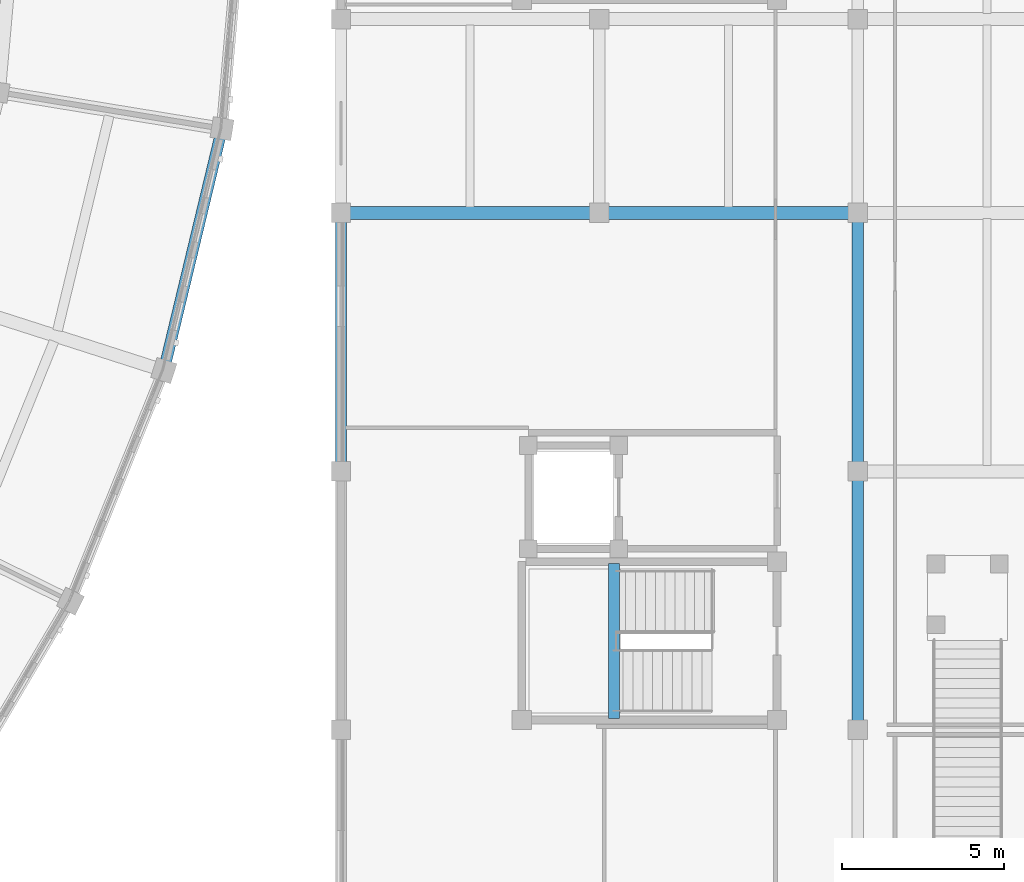
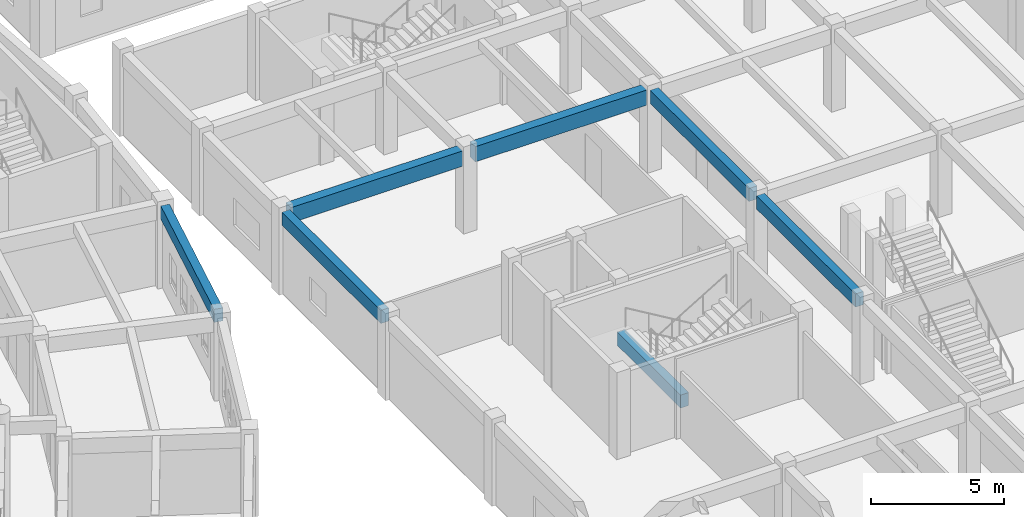
# One storey, part 84 of 159: 7 beams.
"""IFC4 building model written with IfcOpenShell, lengths in metres."""

from ifc_helpers import new_model, si_unit, direction, frame, origin, origin_2d, place, context, subcontext, project, spatial, rectangle, extrude, material, material_profile, profile_set, type_object, element, save


model = new_model("IFC4")

# Units and contexts
model_context = context("Model", 3, precision=1e-05, world=origin(), true_north=direction((0.0, 1.0)))
body_context = subcontext(model_context, "Body", "Model", "MODEL_VIEW")
ifc_project = project(units=[si_unit("LENGTHUNIT", "METRE"), si_unit("AREAUNIT", "SQUARE_METRE"), si_unit("VOLUMEUNIT", "CUBIC_METRE"), si_unit("PLANEANGLEUNIT", "RADIAN"), si_unit("MASSUNIT", "GRAM", prefix="KILO")], contexts=[model_context])

# Site, building, storey
site_placement = place(None, origin())
site = spatial("IfcSite", under=ifc_project, at=site_placement, CompositionType="ELEMENT")
building_placement = place(site_placement, origin())
building = spatial("IfcBuilding", under=site, at=building_placement, Name="Celadon Cloister-Ring School", CompositionType="ELEMENT")
storey_placement = place(building_placement, frame((0.0, 0.0, 4.5)))
storey = spatial("IfcBuildingStorey", under=building, at=storey_placement, Name="L01", CompositionType="ELEMENT", Elevation=4.5)

# Beams
ifc_material_1 = material(Name="Concrete C35/45", Category="concrete")
ifc_material_profile_1 = material_profile(ifc_material_1, rectangle(XDim=0.35009765625, YDim=0.60009765625, at=origin_2d()), Name="RC350X600")
ifc_profile_set_1 = profile_set([ifc_material_profile_1], Name="Concrete C35/45")
beam_type_1 = type_object("IfcBeamType", Name="BT-02", PredefinedType="BEAM", material=ifc_profile_set_1)
for number, where, z_axis, x_axis, name in (
    (1, (142.0, 40.27490234375, 3.4599609375), (0.0, 1.0, 0.0), (-1.0, 0.0, 0.0), "Beam 1325"),
    (2, (158.0, 32.27490234375, 3.4599609375), (0.0, 1.0, 0.0), (-1.0, 0.0, 0.0), "Beam 1336"),
    (3, (158.0, 40.27490234375, 3.4599609375), (0.0, 1.0, 0.0), (-1.0, 0.0, 0.0), "Beam 1337"),
):
    element("IfcBeam", number, at=place(storey_placement, frame(where, z_axis=z_axis, x_axis=x_axis)), inside=storey, type_object=beam_type_1, Name=name, PredefinedType="BEAM", context=body_context, shape_type="SweptSolid", body=[
        extrude(rectangle(XDim=0.35009765625, YDim=0.60009765625, at=origin_2d()), origin(), (0.0, 0.0, 1.0), 7.4501953125),
    ])
beam_1_placement = place(storey_placement, frame((150.449951171875, 32.35009765625, 1.419921875), z_axis=(0.0, 1.0, 0.0), x_axis=(-1.0, 0.0, 0.0)))
element("IfcBeam", 4, at=beam_1_placement, inside=storey, type_object=beam_type_1, Name="Stair Landing Beam 1746", PredefinedType="BEAM", context=body_context, shape_type="SweptSolid", body=[
    extrude(rectangle(XDim=0.35009765625, YDim=0.60009765625, at=origin_2d()), origin(), (0.0, 0.0, 1.0), 4.7998046875),
])
ifc_material_2 = material(Name="Concrete C35/45", Category="concrete")
ifc_material_profile_2 = material_profile(ifc_material_2, rectangle(XDim=0.39990234375, YDim=0.699951171875, at=origin_2d()), Name="RC400X700")
ifc_profile_set_2 = profile_set([ifc_material_profile_2], Name="Concrete C35/45")
beam_type_2 = type_object("IfcBeamType", Name="GT-03", PredefinedType="USERDEFINED", material=ifc_profile_set_2)
for number, where, z_axis, x_axis, name in (
    (5, (142.27490234375, 48.0, 3.409912109375), (1.0, 0.0, 0.0), (0.0, 1.0, 0.0), "Beam 1306"),
    (6, (150.27490234375, 48.0, 3.409912109375), (1.0, 0.0, 0.0), (0.0, 1.0, 0.0), "Beam 1307"),
):
    element("IfcBeam", number, at=place(storey_placement, frame(where, z_axis=z_axis, x_axis=x_axis)), inside=storey, type_object=beam_type_2, Name=name, ObjectType="GIRDER", PredefinedType="USERDEFINED", context=body_context, shape_type="SweptSolid", body=[
        extrude(rectangle(XDim=0.39990234375, YDim=0.699951171875, at=origin_2d()), origin(), (0.0, 0.0, 1.0), 7.4501953125),
    ])
ifc_material_3 = material(Name="Concrete C35/45", Category="concrete")
ifc_material_profile_3 = material_profile(ifc_material_3, rectangle(XDim=0.35009765625, YDim=0.60009765625, at=origin_2d()), Name="RC350X600")
ifc_profile_set_3 = profile_set([ifc_material_profile_3], Name="Concrete C35/45")
beam_type_3 = type_object("IfcBeamType", Name="SP-01", PredefinedType="SPANDREL", material=ifc_profile_set_3)
beam_2_placement = place(storey_placement, frame((136.5849609375, 43.409912109375, 3.47998046875), z_axis=(0.234155521866, 0.972199152221, 0.0), x_axis=(-0.972199152221, 0.234155521866, 0.0)))
element("IfcBeam", 7, at=beam_2_placement, inside=storey, type_object=beam_type_3, Name="Beam 0363", PredefinedType="SPANDREL", context=body_context, shape_type="SweptSolid", body=[
    extrude(rectangle(XDim=0.35009765625, YDim=0.60009765625, at=origin_2d()), origin(), (0.0, 0.0, 1.0), 7.1025390625),
])

save(model, "model.ifc")
